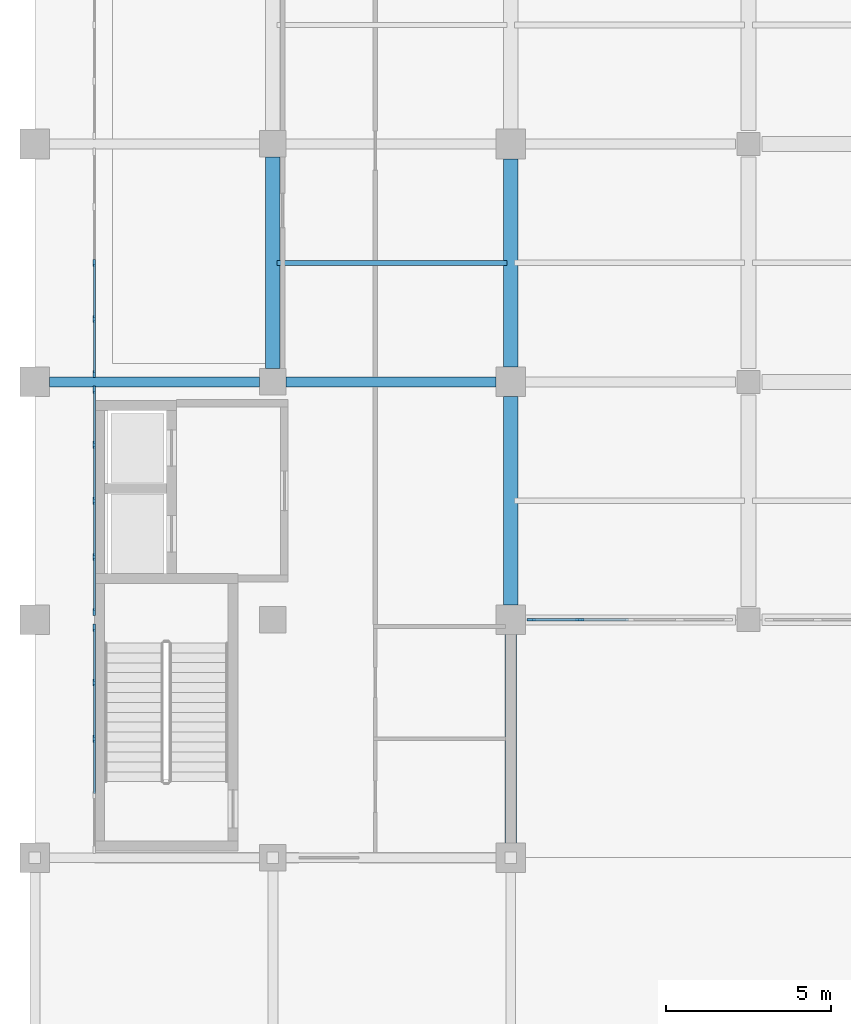
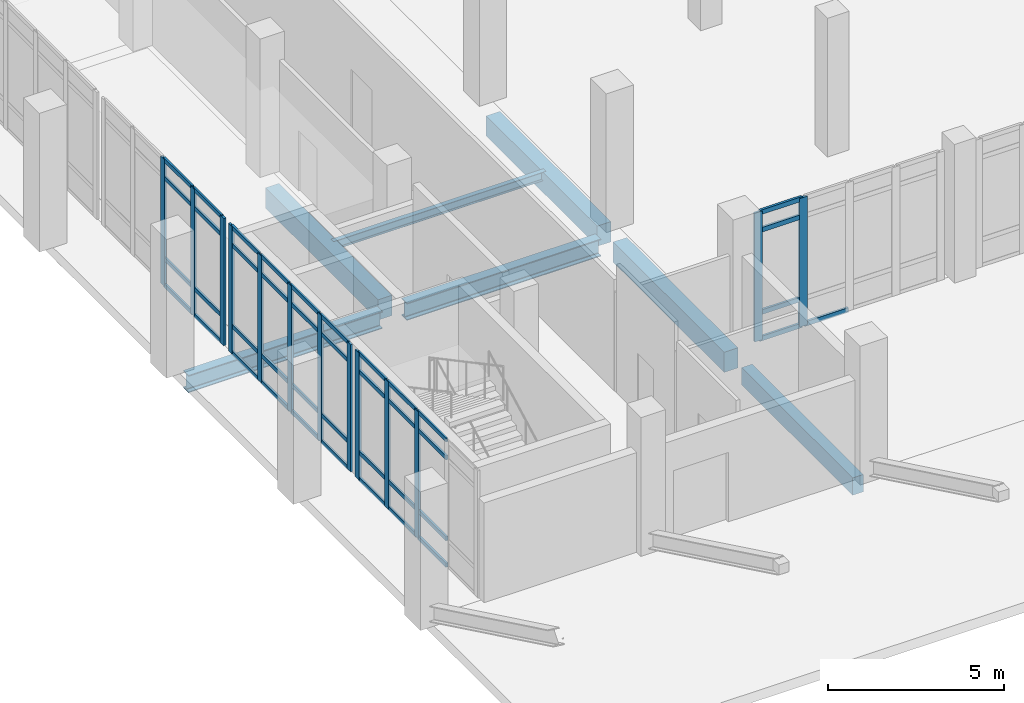
# One storey, part 9 of 59: 54 members, 7 beams, 4 elements without a shape of their own.
"""IFC4 building model written with IfcOpenShell, lengths in metres."""

from ifc_helpers import new_model, si_unit, direction, frame, origin, origin_2d, place, context, subcontext, project, spatial, rectangle, i_section, extrude, material, layer, layer_set, material_profile, profile_set, type_object, element, aggregate, save


model = new_model("IFC4")

# Units and contexts
model_context = context("Model", 3, precision=1e-05, world=origin(), true_north=direction((0.0, 1.0)))
body_context = subcontext(model_context, "Body", "Model", "MODEL_VIEW")
ifc_project = project(units=[si_unit("LENGTHUNIT", "METRE"), si_unit("AREAUNIT", "SQUARE_METRE"), si_unit("VOLUMEUNIT", "CUBIC_METRE"), si_unit("PLANEANGLEUNIT", "RADIAN"), si_unit("MASSUNIT", "GRAM", prefix="KILO")], contexts=[model_context])

# Site, building, storey
site_placement = place(None, origin())
site = spatial("IfcSite", under=ifc_project, at=site_placement, CompositionType="ELEMENT")
building_placement = place(site_placement, origin())
building = spatial("IfcBuilding", under=site, at=building_placement, Name="Valkovuoma Quantum and Materials Research Institute", CompositionType="ELEMENT")
storey_placement = place(building_placement, origin())
storey = spatial("IfcBuildingStorey", under=building, at=storey_placement, Name="L00", CompositionType="ELEMENT", Elevation=0.0)

# Beams
ifc_material_1 = material(Name="Steel S355J2", Category="steel")
ifc_material_profile_1 = material_profile(ifc_material_1, i_section(OverallWidth=0.300048828125, OverallDepth=0.60009765625, WebThickness=0.015380859375, FlangeThickness=0.030029296875, FilletRadius=0.027099609375, at=origin_2d()), Name="Steel S355J2")
ifc_profile_set_1 = profile_set([ifc_material_profile_1], Name="Steel S355J2")
beam_type_1 = type_object("IfcBeamType", Name="Beam-B-HEB600", PredefinedType="BEAM", material=ifc_profile_set_1)
beam_1_placement = place(storey_placement, frame((0.449951171875, 43.199951171875, -0.699951171875), z_axis=(1.0, 0.0, 0.0), x_axis=(0.0, 1.0, 0.0)))
element("IfcBeam", 1, at=beam_1_placement, inside=storey, type_object=beam_type_1, Name="L00 beam X-0054", PredefinedType="BEAM", context=body_context, shape_type="SweptSolid", body=[
    extrude(i_section(OverallWidth=0.300048828125, OverallDepth=0.60009765625, WebThickness=0.015380859375, FlangeThickness=0.030029296875, FilletRadius=0.027099609375, at=origin_2d()), origin(), (0.0, 0.0, 1.0), 6.35009765625),
])
beam_2_placement = place(storey_placement, frame((7.60009765625, 43.199951171875, -0.699951171875), z_axis=(1.0, 0.0, 0.0), x_axis=(0.0, 1.0, 0.0)))
element("IfcBeam", 2, at=beam_2_placement, inside=storey, type_object=beam_type_1, Name="L00 beam X-0055", PredefinedType="BEAM", context=body_context, shape_type="SweptSolid", body=[
    extrude(i_section(OverallWidth=0.300048828125, OverallDepth=0.60009765625, WebThickness=0.015380859375, FlangeThickness=0.030029296875, FilletRadius=0.027099609375, at=origin_2d()), origin(), (0.0, 0.0, 1.0), 6.349853515625),
])
ifc_material_2 = material(Name="Steel S355J2", Category="steel")
ifc_material_profile_2 = material_profile(ifc_material_2, i_section(OverallWidth=0.14990234375, OverallDepth=0.300048828125, WebThickness=0.007080078125, FlangeThickness=0.0107421875, FilletRadius=0.014892578125, at=origin_2d()), Name="Steel S355J2")
ifc_profile_set_2 = profile_set([ifc_material_profile_2], Name="Steel S355J2")
beam_type_2 = type_object("IfcBeamType", Name="Beam-B-JST300", PredefinedType="JOIST", material=ifc_profile_set_2)
beam_3_placement = place(storey_placement, frame((7.320068359375, 46.800048828125, -0.550048828125), z_axis=(1.0, 0.0, 0.0), x_axis=(0.0, 1.0, 0.0)))
element("IfcBeam", 3, at=beam_3_placement, inside=storey, type_object=beam_type_2, Name="L00 floor joist 0436", PredefinedType="JOIST", context=body_context, shape_type="SweptSolid", body=[
    extrude(i_section(OverallWidth=0.14990234375, OverallDepth=0.300048828125, WebThickness=0.007080078125, FlangeThickness=0.0107421875, FilletRadius=0.014892578125, at=origin_2d()), origin(), (0.0, 0.0, 1.0), 6.9599609375),
])
ifc_material_3 = material(Name="Concrete C40/50", Category="concrete")
ifc_material_profile_3 = material_profile(ifc_material_3, rectangle(XDim=0.449951171875, YDim=0.699951171875, at=origin_2d()), Name="Concrete C40/50")
ifc_profile_set_3 = profile_set([ifc_material_profile_3], Name="Concrete C40/50")
beam_type_3 = type_object("IfcBeamType", Name="Beam-B-RC700", PredefinedType="BEAM", material=ifc_profile_set_3)
beam_4_placement = place(storey_placement, frame((7.199951171875, 43.60009765625, -0.75), z_axis=(0.0, 1.0, 0.0), x_axis=(-1.0, 0.0, 0.0)))
element("IfcBeam", 4, at=beam_4_placement, inside=storey, type_object=beam_type_3, Name="L00 beam Y-0200", PredefinedType="BEAM", context=body_context, shape_type="SweptSolid", body=[
    extrude(rectangle(XDim=0.449951171875, YDim=0.699951171875, at=origin_2d()), origin(), (0.0, 0.0, 1.0), 6.39990234375),
])
for number, where, z_axis, x_axis, name in (
    (5, (14.39990234375, 36.449951171875, -0.75), (0.0, 1.0, 0.0), (-1.0, 0.0, 0.0), "L00 beam Y-0206"),
    (6, (14.39990234375, 43.64990234375, -0.75), (0.0, 1.0, 0.0), (-1.0, 0.0, 0.0), "L00 beam Y-0207"),
):
    element("IfcBeam", number, at=place(storey_placement, frame(where, z_axis=z_axis, x_axis=x_axis)), inside=storey, type_object=beam_type_3, Name=name, PredefinedType="BEAM", context=body_context, shape_type="SweptSolid", body=[
        extrude(rectangle(XDim=0.449951171875, YDim=0.699951171875, at=origin_2d()), origin(), (0.0, 0.0, 1.0), 6.300048828125),
    ])
ifc_material_4 = material(Name="Concrete C40/50", Category="concrete")
ifc_material_profile_4 = material_profile(ifc_material_4, rectangle(XDim=0.35009765625, YDim=0.60009765625, at=origin_2d()), Name="Concrete C40/50")
ifc_profile_set_4 = profile_set([ifc_material_profile_4], Name="Concrete C40/50")
beam_type_4 = type_object("IfcBeamType", Name="Beam-B-SPN600", PredefinedType="SPANDREL", material=ifc_profile_set_4)
beam_5_placement = place(storey_placement, frame((14.39990234375, 29.25, -0.699951171875), z_axis=(0.0, 1.0, 0.0), x_axis=(-1.0, 0.0, 0.0)))
element("IfcBeam", 7, at=beam_5_placement, inside=storey, type_object=beam_type_4, Name="L00 beam Y-0205", PredefinedType="SPANDREL", context=body_context, shape_type="SweptSolid", body=[
    extrude(rectangle(XDim=0.35009765625, YDim=0.60009765625, at=origin_2d()), origin(), (0.0, 0.0, 1.0), 6.300048828125),
])

# Curtain wall, members
ifc_material_5 = material(Name="Thermally broken aluminium and triple low-E glazing", Category="aluminium")
ifc_layer_1 = layer(ifc_material_5, 0.219970703125)
ifc_layer_set_1 = layer_set([ifc_layer_1], Name="Thermally broken aluminium and triple low-E glazing")
curtain_wall_type_1 = type_object("IfcCurtainWallType", Name="CW-CW-03", PredefinedType="NOTDEFINED", material=ifc_layer_set_1)
curtain_wall_1_placement = place(storey_placement, origin())
curtain_wall_1 = element("IfcCurtainWall", 8, at=curtain_wall_1_placement, inside=storey, type_object=curtain_wall_type_1, Name="L00 curtain wall CW-L00-V5-04", PredefinedType="NOTDEFINED")
ifc_material_6 = material(Name="Anodised aluminium 6060-T66", Category="aluminium")
ifc_material_profile_5 = material_profile(ifc_material_6, rectangle(XDim=0.074951171875, YDim=0.219970703125, at=origin_2d()), Name="Anodised aluminium 6060-T66")
ifc_profile_set_5 = profile_set([ifc_material_profile_5], Name="Anodised aluminium 6060-T66")
member_type_1 = type_object("IfcMemberType", Name="CWMull-CWM-02", PredefinedType="MULLION", material=ifc_profile_set_5)
member_1_placement = place(storey_placement, frame((1.800048828125, 32.39990234375, 0.0), z_axis=(0.0, 0.0, 1.0), x_axis=(-1.0, 0.0, 0.0)))
member_1 = element("IfcMember", 9, at=member_1_placement, type_object=member_type_1, Name="CW-03 mullion 3", PredefinedType="MULLION", context=body_context, shape_type="SweptSolid", body=[
    extrude(rectangle(XDim=0.074951171875, YDim=0.219970703125, at=origin_2d()), origin(), (0.0, 0.0, 1.0), 4.39990234375),
])
member_2_placement = place(storey_placement, frame((1.800048828125, 34.10009765625, 0.0), z_axis=(0.0, 0.0, 1.0), x_axis=(-1.0, 0.0, 0.0)))
member_2 = element("IfcMember", 10, at=member_2_placement, type_object=member_type_1, Name="CW-03 mullion 4", PredefinedType="MULLION", context=body_context, shape_type="SweptSolid", body=[
    extrude(rectangle(XDim=0.074951171875, YDim=0.219970703125, at=origin_2d()), origin(), (0.0, 0.0, 1.0), 4.39990234375),
])
member_3_placement = place(storey_placement, frame((1.800048828125, 35.762451171875, 0.0), z_axis=(0.0, 0.0, 1.0), x_axis=(-1.0, 0.0, 0.0)))
member_3 = element("IfcMember", 11, at=member_3_placement, type_object=member_type_1, Name="CW-03 mullion 5", PredefinedType="MULLION", context=body_context, shape_type="SweptSolid", body=[
    extrude(rectangle(XDim=0.074951171875, YDim=0.219970703125, at=origin_2d()), origin(), (0.0, 0.0, 1.0), 4.39990234375),
])

curtain_wall_2_placement = place(storey_placement, origin())
curtain_wall_2 = element("IfcCurtainWall", 12, at=curtain_wall_2_placement, inside=storey, type_object=curtain_wall_type_1, Name="L00 curtain wall 001", PredefinedType="NOTDEFINED")
member_4_placement = place(storey_placement, frame((1.800048828125, 36.237548828125, 0.0), z_axis=(0.0, 0.0, 1.0), x_axis=(-1.0, 0.0, 0.0)))
member_4 = element("IfcMember", 13, at=member_4_placement, type_object=member_type_1, Name="CW-03 mullion 1", PredefinedType="MULLION", context=body_context, shape_type="SweptSolid", body=[
    extrude(rectangle(XDim=0.074951171875, YDim=0.219970703125, at=origin_2d()), origin(), (0.0, 0.0, 1.0), 4.39990234375),
])
member_5_placement = place(storey_placement, frame((1.800048828125, 37.89990234375, 0.0), z_axis=(0.0, 0.0, 1.0), x_axis=(-1.0, 0.0, 0.0)))
member_5 = element("IfcMember", 14, at=member_5_placement, type_object=member_type_1, Name="CW-03 mullion 2", PredefinedType="MULLION", context=body_context, shape_type="SweptSolid", body=[
    extrude(rectangle(XDim=0.074951171875, YDim=0.219970703125, at=origin_2d()), origin(), (0.0, 0.0, 1.0), 4.39990234375),
])
member_6_placement = place(storey_placement, frame((1.800048828125, 39.60009765625, 0.0), z_axis=(0.0, 0.0, 1.0), x_axis=(-1.0, 0.0, 0.0)))
member_6 = element("IfcMember", 15, at=member_6_placement, type_object=member_type_1, Name="CW-03 mullion 3", PredefinedType="MULLION", context=body_context, shape_type="SweptSolid", body=[
    extrude(rectangle(XDim=0.074951171875, YDim=0.219970703125, at=origin_2d()), origin(), (0.0, 0.0, 1.0), 4.39990234375),
])
member_7_placement = place(storey_placement, frame((1.800048828125, 41.300048828125, 0.0), z_axis=(0.0, 0.0, 1.0), x_axis=(-1.0, 0.0, 0.0)))
member_7 = element("IfcMember", 16, at=member_7_placement, type_object=member_type_1, Name="CW-03 mullion 4", PredefinedType="MULLION", context=body_context, shape_type="SweptSolid", body=[
    extrude(rectangle(XDim=0.074951171875, YDim=0.219970703125, at=origin_2d()), origin(), (0.0, 0.0, 1.0), 4.39990234375),
])
member_8_placement = place(storey_placement, frame((1.800048828125, 42.96240234375, 0.0), z_axis=(0.0, 0.0, 1.0), x_axis=(-1.0, 0.0, 0.0)))
member_8 = element("IfcMember", 17, at=member_8_placement, type_object=member_type_1, Name="CW-03 mullion 5", PredefinedType="MULLION", context=body_context, shape_type="SweptSolid", body=[
    extrude(rectangle(XDim=0.074951171875, YDim=0.219970703125, at=origin_2d()), origin(), (0.0, 0.0, 1.0), 4.39990234375),
])

curtain_wall_3_placement = place(storey_placement, origin())
curtain_wall_3 = element("IfcCurtainWall", 18, at=curtain_wall_3_placement, inside=storey, type_object=curtain_wall_type_1, Name="L00 curtain wall 002", PredefinedType="NOTDEFINED")
member_9_placement = place(storey_placement, frame((1.800048828125, 43.4375, 0.0), z_axis=(0.0, 0.0, 1.0), x_axis=(-1.0, 0.0, 0.0)))
member_9 = element("IfcMember", 19, at=member_9_placement, type_object=member_type_1, Name="CW-03 mullion 1", PredefinedType="MULLION", context=body_context, shape_type="SweptSolid", body=[
    extrude(rectangle(XDim=0.074951171875, YDim=0.219970703125, at=origin_2d()), origin(), (0.0, 0.0, 1.0), 4.39990234375),
])
member_10_placement = place(storey_placement, frame((1.800048828125, 45.10009765625, 0.0), z_axis=(0.0, 0.0, 1.0), x_axis=(-1.0, 0.0, 0.0)))
member_10 = element("IfcMember", 20, at=member_10_placement, type_object=member_type_1, Name="CW-03 mullion 2", PredefinedType="MULLION", context=body_context, shape_type="SweptSolid", body=[
    extrude(rectangle(XDim=0.074951171875, YDim=0.219970703125, at=origin_2d()), origin(), (0.0, 0.0, 1.0), 4.39990234375),
])
member_11_placement = place(storey_placement, frame((1.800048828125, 46.800048828125, 0.0), z_axis=(0.0, 0.0, 1.0), x_axis=(-1.0, 0.0, 0.0)))
member_11 = element("IfcMember", 21, at=member_11_placement, type_object=member_type_1, Name="CW-03 mullion 3", PredefinedType="MULLION", context=body_context, shape_type="SweptSolid", body=[
    extrude(rectangle(XDim=0.074951171875, YDim=0.219970703125, at=origin_2d()), origin(), (0.0, 0.0, 1.0), 4.39990234375),
])

ifc_material_7 = material(Name="Thermally broken aluminium and triple low-E glazing", Category="aluminium")
ifc_layer_2 = layer(ifc_material_7, 0.219970703125)
ifc_layer_set_2 = layer_set([ifc_layer_2], Name="Thermally broken aluminium and triple low-E glazing")
curtain_wall_type_2 = type_object("IfcCurtainWallType", Name="CW-CW-02", PredefinedType="NOTDEFINED", material=ifc_layer_set_2)
curtain_wall_4_placement = place(storey_placement, origin())
curtain_wall_4 = element("IfcCurtainWall", 22, at=curtain_wall_4_placement, inside=storey, type_object=curtain_wall_type_2, Name="L00 curtain wall 147", PredefinedType="NOTDEFINED")
ifc_material_8 = material(Name="Anodised aluminium 6060-T66", Category="aluminium")
ifc_material_profile_6 = material_profile(ifc_material_8, rectangle(XDim=0.080078125, YDim=0.260009765625, at=origin_2d()), Name="Anodised aluminium 6060-T66")
ifc_profile_set_6 = profile_set([ifc_material_profile_6], Name="Anodised aluminium 6060-T66")
member_type_2 = type_object("IfcMemberType", Name="CWMull-CWM-03", PredefinedType="MULLION", material=ifc_profile_set_6)
member_12_placement = place(storey_placement, frame((15.02001953125, 36.0, 0.0), z_axis=(0.0, 0.0, 1.0), x_axis=(0.0, 1.0, 0.0)))
member_12 = element("IfcMember", 23, at=member_12_placement, type_object=member_type_2, Name="CW-02 mullion 1", PredefinedType="MULLION", context=body_context, shape_type="SweptSolid", body=[
    extrude(rectangle(XDim=0.080078125, YDim=0.260009765625, at=origin_2d()), origin(), (0.0, 0.0, 1.0), 4.449951171875),
])
member_13_placement = place(storey_placement, frame((16.489990234375, 36.0, 0.0), z_axis=(0.0, 0.0, 1.0), x_axis=(0.0, 1.0, 0.0)))
member_13 = element("IfcMember", 24, at=member_13_placement, type_object=member_type_2, Name="CW-02 mullion 2", PredefinedType="MULLION", context=body_context, shape_type="SweptSolid", body=[
    extrude(rectangle(XDim=0.080078125, YDim=0.260009765625, at=origin_2d()), origin(), (0.0, 0.0, 1.0), 4.449951171875),
])

# Member
ifc_material_9 = material(Name="Anodised aluminium 6060-T66", Category="aluminium")
ifc_material_profile_7 = material_profile(ifc_material_9, rectangle(XDim=0.06494140625, YDim=0.139892578125, at=origin_2d()), Name="Anodised aluminium 6060-T66")
ifc_profile_set_7 = profile_set([ifc_material_profile_7], Name="Anodised aluminium 6060-T66")
member_type_3 = type_object("IfcMemberType", Name="CWTran-CWT-01", PredefinedType="USERDEFINED", material=ifc_profile_set_7)
member_14_placement = place(storey_placement, frame((1.800048828125, 30.737548828125, 0.032470703125), z_axis=(0.0, 1.0, 0.0), x_axis=(-1.0, 0.0, 0.0)))
member_14 = element("IfcMember", 25, at=member_14_placement, type_object=member_type_3, Name="CW-03 transom 2.1", ObjectType="TRANSOM", PredefinedType="USERDEFINED", context=body_context, shape_type="SweptSolid", body=[
    extrude(rectangle(XDim=0.06494140625, YDim=0.139892578125, at=origin_2d()), origin(), (0.0, 0.0, 1.0), 1.625),
])

member_15_placement = place(storey_placement, frame((1.800048828125, 30.737548828125, 0.949951171875), z_axis=(0.0, 1.0, 0.0), x_axis=(-1.0, 0.0, 0.0)))
member_15 = element("IfcMember", 26, at=member_15_placement, type_object=member_type_3, Name="CW-03 transom 2.2", ObjectType="TRANSOM", PredefinedType="USERDEFINED", context=body_context, shape_type="SweptSolid", body=[
    extrude(rectangle(XDim=0.06494140625, YDim=0.139892578125, at=origin_2d()), origin(), (0.0, 0.0, 1.0), 1.625),
])

member_16_placement = place(storey_placement, frame((1.800048828125, 30.737548828125, 3.75), z_axis=(0.0, 1.0, 0.0), x_axis=(-1.0, 0.0, 0.0)))
member_16 = element("IfcMember", 27, at=member_16_placement, type_object=member_type_3, Name="CW-03 transom 2.3", ObjectType="TRANSOM", PredefinedType="USERDEFINED", context=body_context, shape_type="SweptSolid", body=[
    extrude(rectangle(XDim=0.06494140625, YDim=0.139892578125, at=origin_2d()), origin(), (0.0, 0.0, 1.0), 1.625),
])

member_17_placement = place(storey_placement, frame((1.800048828125, 30.737548828125, 4.367431640625), z_axis=(0.0, 1.0, 0.0), x_axis=(-1.0, 0.0, 0.0)))
member_17 = element("IfcMember", 28, at=member_17_placement, type_object=member_type_3, Name="CW-03 transom 2.4", ObjectType="TRANSOM", PredefinedType="USERDEFINED", context=body_context, shape_type="SweptSolid", body=[
    extrude(rectangle(XDim=0.06494140625, YDim=0.139892578125, at=origin_2d()), origin(), (0.0, 0.0, 1.0), 1.625),
])

member_18_placement = place(storey_placement, frame((1.800048828125, 32.4375, 0.032470703125), z_axis=(0.0, 1.0, 0.0), x_axis=(-1.0, 0.0, 0.0)))
member_18 = element("IfcMember", 29, at=member_18_placement, type_object=member_type_3, Name="CW-03 transom 3.1", ObjectType="TRANSOM", PredefinedType="USERDEFINED", context=body_context, shape_type="SweptSolid", body=[
    extrude(rectangle(XDim=0.06494140625, YDim=0.139892578125, at=origin_2d()), origin(), (0.0, 0.0, 1.0), 1.625),
])

member_19_placement = place(storey_placement, frame((1.800048828125, 32.4375, 0.949951171875), z_axis=(0.0, 1.0, 0.0), x_axis=(-1.0, 0.0, 0.0)))
member_19 = element("IfcMember", 30, at=member_19_placement, type_object=member_type_3, Name="CW-03 transom 3.2", ObjectType="TRANSOM", PredefinedType="USERDEFINED", context=body_context, shape_type="SweptSolid", body=[
    extrude(rectangle(XDim=0.06494140625, YDim=0.139892578125, at=origin_2d()), origin(), (0.0, 0.0, 1.0), 1.625),
])

member_20_placement = place(storey_placement, frame((1.800048828125, 32.4375, 3.75), z_axis=(0.0, 1.0, 0.0), x_axis=(-1.0, 0.0, 0.0)))
member_20 = element("IfcMember", 31, at=member_20_placement, type_object=member_type_3, Name="CW-03 transom 3.3", ObjectType="TRANSOM", PredefinedType="USERDEFINED", context=body_context, shape_type="SweptSolid", body=[
    extrude(rectangle(XDim=0.06494140625, YDim=0.139892578125, at=origin_2d()), origin(), (0.0, 0.0, 1.0), 1.625),
])

member_21_placement = place(storey_placement, frame((1.800048828125, 32.4375, 4.367431640625), z_axis=(0.0, 1.0, 0.0), x_axis=(-1.0, 0.0, 0.0)))
member_21 = element("IfcMember", 32, at=member_21_placement, type_object=member_type_3, Name="CW-03 transom 3.4", ObjectType="TRANSOM", PredefinedType="USERDEFINED", context=body_context, shape_type="SweptSolid", body=[
    extrude(rectangle(XDim=0.06494140625, YDim=0.139892578125, at=origin_2d()), origin(), (0.0, 0.0, 1.0), 1.625),
])

member_22_placement = place(storey_placement, frame((1.800048828125, 34.137451171875, 0.032470703125), z_axis=(0.0, 1.0, 0.0), x_axis=(-1.0, 0.0, 0.0)))
member_22 = element("IfcMember", 33, at=member_22_placement, type_object=member_type_3, Name="CW-03 transom 4.1", ObjectType="TRANSOM", PredefinedType="USERDEFINED", context=body_context, shape_type="SweptSolid", body=[
    extrude(rectangle(XDim=0.06494140625, YDim=0.139892578125, at=origin_2d()), origin(), (0.0, 0.0, 1.0), 1.587646484375),
])

member_23_placement = place(storey_placement, frame((1.800048828125, 34.137451171875, 0.949951171875), z_axis=(0.0, 1.0, 0.0), x_axis=(-1.0, 0.0, 0.0)))
member_23 = element("IfcMember", 34, at=member_23_placement, type_object=member_type_3, Name="CW-03 transom 4.2", ObjectType="TRANSOM", PredefinedType="USERDEFINED", context=body_context, shape_type="SweptSolid", body=[
    extrude(rectangle(XDim=0.06494140625, YDim=0.139892578125, at=origin_2d()), origin(), (0.0, 0.0, 1.0), 1.587646484375),
])

member_24_placement = place(storey_placement, frame((1.800048828125, 34.137451171875, 3.75), z_axis=(0.0, 1.0, 0.0), x_axis=(-1.0, 0.0, 0.0)))
member_24 = element("IfcMember", 35, at=member_24_placement, type_object=member_type_3, Name="CW-03 transom 4.3", ObjectType="TRANSOM", PredefinedType="USERDEFINED", context=body_context, shape_type="SweptSolid", body=[
    extrude(rectangle(XDim=0.06494140625, YDim=0.139892578125, at=origin_2d()), origin(), (0.0, 0.0, 1.0), 1.587646484375),
])

member_25_placement = place(storey_placement, frame((1.800048828125, 34.137451171875, 4.367431640625), z_axis=(0.0, 1.0, 0.0), x_axis=(-1.0, 0.0, 0.0)))
member_25 = element("IfcMember", 36, at=member_25_placement, type_object=member_type_3, Name="CW-03 transom 4.4", ObjectType="TRANSOM", PredefinedType="USERDEFINED", context=body_context, shape_type="SweptSolid", body=[
    extrude(rectangle(XDim=0.06494140625, YDim=0.139892578125, at=origin_2d()), origin(), (0.0, 0.0, 1.0), 1.587646484375),
])

aggregate(curtain_wall_1, [member_1, member_2, member_3, member_14, member_15, member_16, member_17, member_18, member_19, member_20, member_21, member_22, member_23, member_24, member_25])

member_26_placement = place(storey_placement, frame((1.800048828125, 36.27490234375, 0.032470703125), z_axis=(0.0, 1.0, 0.0), x_axis=(-1.0, 0.0, 0.0)))
member_26 = element("IfcMember", 37, at=member_26_placement, type_object=member_type_3, Name="CW-03 transom 1.1", ObjectType="TRANSOM", PredefinedType="USERDEFINED", context=body_context, shape_type="SweptSolid", body=[
    extrude(rectangle(XDim=0.06494140625, YDim=0.139892578125, at=origin_2d()), origin(), (0.0, 0.0, 1.0), 1.587646484375),
])

member_27_placement = place(storey_placement, frame((1.800048828125, 36.27490234375, 0.949951171875), z_axis=(0.0, 1.0, 0.0), x_axis=(-1.0, 0.0, 0.0)))
member_27 = element("IfcMember", 38, at=member_27_placement, type_object=member_type_3, Name="CW-03 transom 1.2", ObjectType="TRANSOM", PredefinedType="USERDEFINED", context=body_context, shape_type="SweptSolid", body=[
    extrude(rectangle(XDim=0.06494140625, YDim=0.139892578125, at=origin_2d()), origin(), (0.0, 0.0, 1.0), 1.587646484375),
])

member_28_placement = place(storey_placement, frame((1.800048828125, 36.27490234375, 3.75), z_axis=(0.0, 1.0, 0.0), x_axis=(-1.0, 0.0, 0.0)))
member_28 = element("IfcMember", 39, at=member_28_placement, type_object=member_type_3, Name="CW-03 transom 1.3", ObjectType="TRANSOM", PredefinedType="USERDEFINED", context=body_context, shape_type="SweptSolid", body=[
    extrude(rectangle(XDim=0.06494140625, YDim=0.139892578125, at=origin_2d()), origin(), (0.0, 0.0, 1.0), 1.587646484375),
])

member_29_placement = place(storey_placement, frame((1.800048828125, 36.27490234375, 4.367431640625), z_axis=(0.0, 1.0, 0.0), x_axis=(-1.0, 0.0, 0.0)))
member_29 = element("IfcMember", 40, at=member_29_placement, type_object=member_type_3, Name="CW-03 transom 1.4", ObjectType="TRANSOM", PredefinedType="USERDEFINED", context=body_context, shape_type="SweptSolid", body=[
    extrude(rectangle(XDim=0.06494140625, YDim=0.139892578125, at=origin_2d()), origin(), (0.0, 0.0, 1.0), 1.587646484375),
])

member_30_placement = place(storey_placement, frame((1.800048828125, 37.9375, 0.032470703125), z_axis=(0.0, 1.0, 0.0), x_axis=(-1.0, 0.0, 0.0)))
member_30 = element("IfcMember", 41, at=member_30_placement, type_object=member_type_3, Name="CW-03 transom 2.1", ObjectType="TRANSOM", PredefinedType="USERDEFINED", context=body_context, shape_type="SweptSolid", body=[
    extrude(rectangle(XDim=0.06494140625, YDim=0.139892578125, at=origin_2d()), origin(), (0.0, 0.0, 1.0), 1.625),
])

member_31_placement = place(storey_placement, frame((1.800048828125, 37.9375, 0.949951171875), z_axis=(0.0, 1.0, 0.0), x_axis=(-1.0, 0.0, 0.0)))
member_31 = element("IfcMember", 42, at=member_31_placement, type_object=member_type_3, Name="CW-03 transom 2.2", ObjectType="TRANSOM", PredefinedType="USERDEFINED", context=body_context, shape_type="SweptSolid", body=[
    extrude(rectangle(XDim=0.06494140625, YDim=0.139892578125, at=origin_2d()), origin(), (0.0, 0.0, 1.0), 1.625),
])

member_32_placement = place(storey_placement, frame((1.800048828125, 37.9375, 3.75), z_axis=(0.0, 1.0, 0.0), x_axis=(-1.0, 0.0, 0.0)))
member_32 = element("IfcMember", 43, at=member_32_placement, type_object=member_type_3, Name="CW-03 transom 2.3", ObjectType="TRANSOM", PredefinedType="USERDEFINED", context=body_context, shape_type="SweptSolid", body=[
    extrude(rectangle(XDim=0.06494140625, YDim=0.139892578125, at=origin_2d()), origin(), (0.0, 0.0, 1.0), 1.625),
])

member_33_placement = place(storey_placement, frame((1.800048828125, 37.9375, 4.367431640625), z_axis=(0.0, 1.0, 0.0), x_axis=(-1.0, 0.0, 0.0)))
member_33 = element("IfcMember", 44, at=member_33_placement, type_object=member_type_3, Name="CW-03 transom 2.4", ObjectType="TRANSOM", PredefinedType="USERDEFINED", context=body_context, shape_type="SweptSolid", body=[
    extrude(rectangle(XDim=0.06494140625, YDim=0.139892578125, at=origin_2d()), origin(), (0.0, 0.0, 1.0), 1.625),
])

member_34_placement = place(storey_placement, frame((1.800048828125, 39.637451171875, 0.032470703125), z_axis=(0.0, 1.0, 0.0), x_axis=(-1.0, 0.0, 0.0)))
member_34 = element("IfcMember", 45, at=member_34_placement, type_object=member_type_3, Name="CW-03 transom 3.1", ObjectType="TRANSOM", PredefinedType="USERDEFINED", context=body_context, shape_type="SweptSolid", body=[
    extrude(rectangle(XDim=0.06494140625, YDim=0.139892578125, at=origin_2d()), origin(), (0.0, 0.0, 1.0), 1.625),
])

member_35_placement = place(storey_placement, frame((1.800048828125, 39.637451171875, 0.949951171875), z_axis=(0.0, 1.0, 0.0), x_axis=(-1.0, 0.0, 0.0)))
member_35 = element("IfcMember", 46, at=member_35_placement, type_object=member_type_3, Name="CW-03 transom 3.2", ObjectType="TRANSOM", PredefinedType="USERDEFINED", context=body_context, shape_type="SweptSolid", body=[
    extrude(rectangle(XDim=0.06494140625, YDim=0.139892578125, at=origin_2d()), origin(), (0.0, 0.0, 1.0), 1.625),
])

member_36_placement = place(storey_placement, frame((1.800048828125, 39.637451171875, 3.75), z_axis=(0.0, 1.0, 0.0), x_axis=(-1.0, 0.0, 0.0)))
member_36 = element("IfcMember", 47, at=member_36_placement, type_object=member_type_3, Name="CW-03 transom 3.3", ObjectType="TRANSOM", PredefinedType="USERDEFINED", context=body_context, shape_type="SweptSolid", body=[
    extrude(rectangle(XDim=0.06494140625, YDim=0.139892578125, at=origin_2d()), origin(), (0.0, 0.0, 1.0), 1.625),
])

member_37_placement = place(storey_placement, frame((1.800048828125, 39.637451171875, 4.367431640625), z_axis=(0.0, 1.0, 0.0), x_axis=(-1.0, 0.0, 0.0)))
member_37 = element("IfcMember", 48, at=member_37_placement, type_object=member_type_3, Name="CW-03 transom 3.4", ObjectType="TRANSOM", PredefinedType="USERDEFINED", context=body_context, shape_type="SweptSolid", body=[
    extrude(rectangle(XDim=0.06494140625, YDim=0.139892578125, at=origin_2d()), origin(), (0.0, 0.0, 1.0), 1.625),
])

member_38_placement = place(storey_placement, frame((1.800048828125, 41.33740234375, 0.032470703125), z_axis=(0.0, 1.0, 0.0), x_axis=(-1.0, 0.0, 0.0)))
member_38 = element("IfcMember", 49, at=member_38_placement, type_object=member_type_3, Name="CW-03 transom 4.1", ObjectType="TRANSOM", PredefinedType="USERDEFINED", context=body_context, shape_type="SweptSolid", body=[
    extrude(rectangle(XDim=0.06494140625, YDim=0.139892578125, at=origin_2d()), origin(), (0.0, 0.0, 1.0), 1.587646484375),
])

member_39_placement = place(storey_placement, frame((1.800048828125, 41.33740234375, 0.949951171875), z_axis=(0.0, 1.0, 0.0), x_axis=(-1.0, 0.0, 0.0)))
member_39 = element("IfcMember", 50, at=member_39_placement, type_object=member_type_3, Name="CW-03 transom 4.2", ObjectType="TRANSOM", PredefinedType="USERDEFINED", context=body_context, shape_type="SweptSolid", body=[
    extrude(rectangle(XDim=0.06494140625, YDim=0.139892578125, at=origin_2d()), origin(), (0.0, 0.0, 1.0), 1.587646484375),
])

member_40_placement = place(storey_placement, frame((1.800048828125, 41.33740234375, 3.75), z_axis=(0.0, 1.0, 0.0), x_axis=(-1.0, 0.0, 0.0)))
member_40 = element("IfcMember", 51, at=member_40_placement, type_object=member_type_3, Name="CW-03 transom 4.3", ObjectType="TRANSOM", PredefinedType="USERDEFINED", context=body_context, shape_type="SweptSolid", body=[
    extrude(rectangle(XDim=0.06494140625, YDim=0.139892578125, at=origin_2d()), origin(), (0.0, 0.0, 1.0), 1.587646484375),
])

member_41_placement = place(storey_placement, frame((1.800048828125, 41.33740234375, 4.367431640625), z_axis=(0.0, 1.0, 0.0), x_axis=(-1.0, 0.0, 0.0)))
member_41 = element("IfcMember", 52, at=member_41_placement, type_object=member_type_3, Name="CW-03 transom 4.4", ObjectType="TRANSOM", PredefinedType="USERDEFINED", context=body_context, shape_type="SweptSolid", body=[
    extrude(rectangle(XDim=0.06494140625, YDim=0.139892578125, at=origin_2d()), origin(), (0.0, 0.0, 1.0), 1.587646484375),
])

aggregate(curtain_wall_2, [member_4, member_5, member_6, member_7, member_8, member_26, member_27, member_28, member_29, member_30, member_31, member_32, member_33, member_34, member_35, member_36, member_37, member_38, member_39, member_40, member_41])

member_42_placement = place(storey_placement, frame((1.800048828125, 43.47509765625, 0.032470703125), z_axis=(0.0, 1.0, 0.0), x_axis=(-1.0, 0.0, 0.0)))
member_42 = element("IfcMember", 53, at=member_42_placement, type_object=member_type_3, Name="CW-03 transom 1.1", ObjectType="TRANSOM", PredefinedType="USERDEFINED", context=body_context, shape_type="SweptSolid", body=[
    extrude(rectangle(XDim=0.06494140625, YDim=0.139892578125, at=origin_2d()), origin(), (0.0, 0.0, 1.0), 1.58740234375),
])

member_43_placement = place(storey_placement, frame((1.800048828125, 43.47509765625, 0.949951171875), z_axis=(0.0, 1.0, 0.0), x_axis=(-1.0, 0.0, 0.0)))
member_43 = element("IfcMember", 54, at=member_43_placement, type_object=member_type_3, Name="CW-03 transom 1.2", ObjectType="TRANSOM", PredefinedType="USERDEFINED", context=body_context, shape_type="SweptSolid", body=[
    extrude(rectangle(XDim=0.06494140625, YDim=0.139892578125, at=origin_2d()), origin(), (0.0, 0.0, 1.0), 1.58740234375),
])

member_44_placement = place(storey_placement, frame((1.800048828125, 43.47509765625, 3.75), z_axis=(0.0, 1.0, 0.0), x_axis=(-1.0, 0.0, 0.0)))
member_44 = element("IfcMember", 55, at=member_44_placement, type_object=member_type_3, Name="CW-03 transom 1.3", ObjectType="TRANSOM", PredefinedType="USERDEFINED", context=body_context, shape_type="SweptSolid", body=[
    extrude(rectangle(XDim=0.06494140625, YDim=0.139892578125, at=origin_2d()), origin(), (0.0, 0.0, 1.0), 1.58740234375),
])

member_45_placement = place(storey_placement, frame((1.800048828125, 43.47509765625, 4.367431640625), z_axis=(0.0, 1.0, 0.0), x_axis=(-1.0, 0.0, 0.0)))
member_45 = element("IfcMember", 56, at=member_45_placement, type_object=member_type_3, Name="CW-03 transom 1.4", ObjectType="TRANSOM", PredefinedType="USERDEFINED", context=body_context, shape_type="SweptSolid", body=[
    extrude(rectangle(XDim=0.06494140625, YDim=0.139892578125, at=origin_2d()), origin(), (0.0, 0.0, 1.0), 1.58740234375),
])

member_46_placement = place(storey_placement, frame((1.800048828125, 45.137451171875, 0.032470703125), z_axis=(0.0, 1.0, 0.0), x_axis=(-1.0, 0.0, 0.0)))
member_46 = element("IfcMember", 57, at=member_46_placement, type_object=member_type_3, Name="CW-03 transom 2.1", ObjectType="TRANSOM", PredefinedType="USERDEFINED", context=body_context, shape_type="SweptSolid", body=[
    extrude(rectangle(XDim=0.06494140625, YDim=0.139892578125, at=origin_2d()), origin(), (0.0, 0.0, 1.0), 1.625),
])

member_47_placement = place(storey_placement, frame((1.800048828125, 45.137451171875, 0.949951171875), z_axis=(0.0, 1.0, 0.0), x_axis=(-1.0, 0.0, 0.0)))
member_47 = element("IfcMember", 58, at=member_47_placement, type_object=member_type_3, Name="CW-03 transom 2.2", ObjectType="TRANSOM", PredefinedType="USERDEFINED", context=body_context, shape_type="SweptSolid", body=[
    extrude(rectangle(XDim=0.06494140625, YDim=0.139892578125, at=origin_2d()), origin(), (0.0, 0.0, 1.0), 1.625),
])

member_48_placement = place(storey_placement, frame((1.800048828125, 45.137451171875, 3.75), z_axis=(0.0, 1.0, 0.0), x_axis=(-1.0, 0.0, 0.0)))
member_48 = element("IfcMember", 59, at=member_48_placement, type_object=member_type_3, Name="CW-03 transom 2.3", ObjectType="TRANSOM", PredefinedType="USERDEFINED", context=body_context, shape_type="SweptSolid", body=[
    extrude(rectangle(XDim=0.06494140625, YDim=0.139892578125, at=origin_2d()), origin(), (0.0, 0.0, 1.0), 1.625),
])

member_49_placement = place(storey_placement, frame((1.800048828125, 45.137451171875, 4.367431640625), z_axis=(0.0, 1.0, 0.0), x_axis=(-1.0, 0.0, 0.0)))
member_49 = element("IfcMember", 60, at=member_49_placement, type_object=member_type_3, Name="CW-03 transom 2.4", ObjectType="TRANSOM", PredefinedType="USERDEFINED", context=body_context, shape_type="SweptSolid", body=[
    extrude(rectangle(XDim=0.06494140625, YDim=0.139892578125, at=origin_2d()), origin(), (0.0, 0.0, 1.0), 1.625),
])

aggregate(curtain_wall_3, [member_9, member_10, member_11, member_42, member_43, member_44, member_45, member_46, member_47, member_48, member_49])

ifc_material_10 = material(Name="Anodised aluminium 6060-T66", Category="aluminium")
ifc_material_profile_8 = material_profile(ifc_material_10, rectangle(XDim=0.074951171875, YDim=0.159912109375, at=origin_2d()), Name="Anodised aluminium 6060-T66")
ifc_profile_set_8 = profile_set([ifc_material_profile_8], Name="Anodised aluminium 6060-T66")
member_type_4 = type_object("IfcMemberType", Name="CWTran-CWT-02", PredefinedType="USERDEFINED", material=ifc_profile_set_8)
member_50_placement = place(storey_placement, frame((15.06005859375, 36.0, 0.03759765625), z_axis=(1.0, 0.0, 0.0), x_axis=(0.0, 1.0, 0.0)))
member_50 = element("IfcMember", 61, at=member_50_placement, type_object=member_type_4, Name="CW-02 transom 1.1", ObjectType="TRANSOM", PredefinedType="USERDEFINED", context=body_context, shape_type="SweptSolid", body=[
    extrude(rectangle(XDim=0.074951171875, YDim=0.159912109375, at=origin_2d()), origin(), (0.0, 0.0, 1.0), 1.389892578125),
])

member_51_placement = place(storey_placement, frame((15.06005859375, 36.0, 0.949951171875), z_axis=(1.0, 0.0, 0.0), x_axis=(0.0, 1.0, 0.0)))
member_51 = element("IfcMember", 62, at=member_51_placement, type_object=member_type_4, Name="CW-02 transom 1.2", ObjectType="TRANSOM", PredefinedType="USERDEFINED", context=body_context, shape_type="SweptSolid", body=[
    extrude(rectangle(XDim=0.074951171875, YDim=0.159912109375, at=origin_2d()), origin(), (0.0, 0.0, 1.0), 1.389892578125),
])

member_52_placement = place(storey_placement, frame((15.06005859375, 36.0, 3.800048828125), z_axis=(1.0, 0.0, 0.0), x_axis=(0.0, 1.0, 0.0)))
member_52 = element("IfcMember", 63, at=member_52_placement, type_object=member_type_4, Name="CW-02 transom 1.3", ObjectType="TRANSOM", PredefinedType="USERDEFINED", context=body_context, shape_type="SweptSolid", body=[
    extrude(rectangle(XDim=0.074951171875, YDim=0.159912109375, at=origin_2d()), origin(), (0.0, 0.0, 1.0), 1.389892578125),
])

member_53_placement = place(storey_placement, frame((15.06005859375, 36.0, 4.41259765625), z_axis=(1.0, 0.0, 0.0), x_axis=(0.0, 1.0, 0.0)))
member_53 = element("IfcMember", 64, at=member_53_placement, type_object=member_type_4, Name="CW-02 transom 1.4", ObjectType="TRANSOM", PredefinedType="USERDEFINED", context=body_context, shape_type="SweptSolid", body=[
    extrude(rectangle(XDim=0.074951171875, YDim=0.159912109375, at=origin_2d()), origin(), (0.0, 0.0, 1.0), 1.389892578125),
])

member_54_placement = place(storey_placement, frame((16.530029296875, 36.0, 0.03759765625), z_axis=(1.0, 0.0, 0.0), x_axis=(0.0, 1.0, 0.0)))
member_54 = element("IfcMember", 65, at=member_54_placement, type_object=member_type_4, Name="CW-02 transom 2.1", ObjectType="TRANSOM", PredefinedType="USERDEFINED", context=body_context, shape_type="SweptSolid", body=[
    extrude(rectangle(XDim=0.074951171875, YDim=0.159912109375, at=origin_2d()), origin(), (0.0, 0.0, 1.0), 1.429931640625),
])

aggregate(curtain_wall_4, [member_12, member_13, member_50, member_51, member_52, member_53, member_54])

save(model, "model.ifc")
